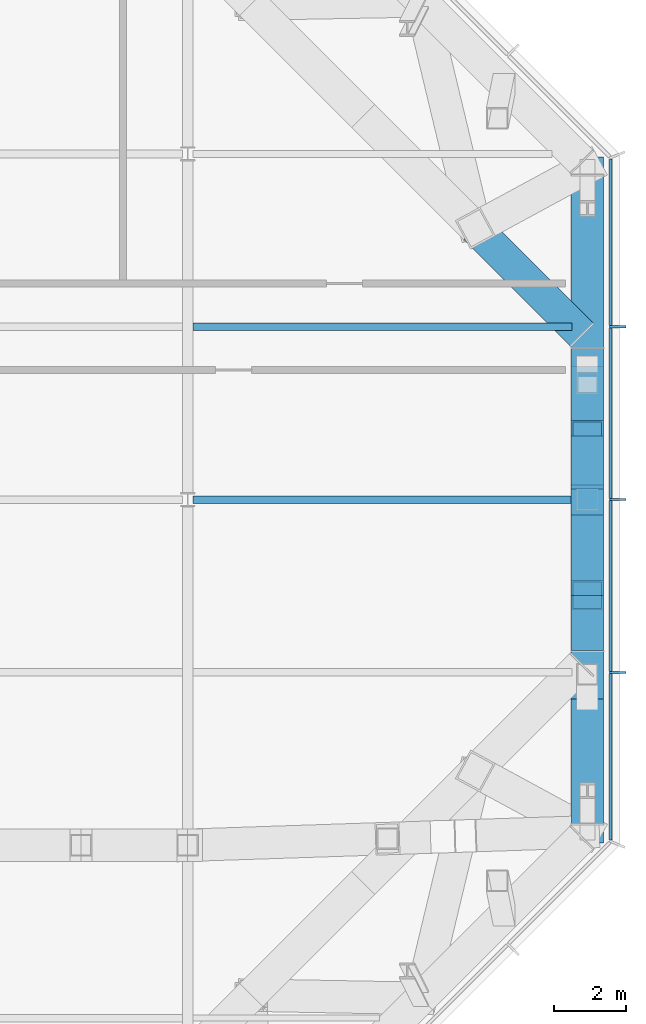
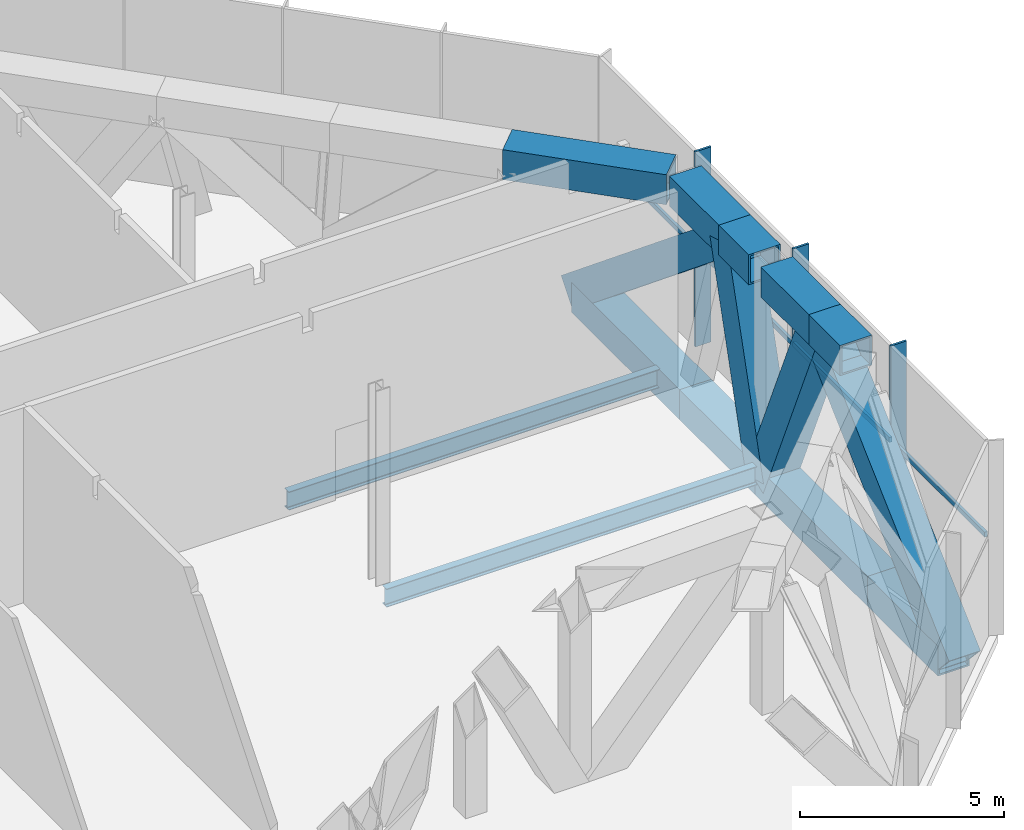
# One storey, part 6 of 18: 15 beams, 7 members, 1 element without a shape of its own.
"""IFC4 building model written with IfcOpenShell, lengths in metres."""

from ifc_helpers import new_model, si_unit, direction, frame, origin, origin_2d, place, context, subcontext, project, spatial, rectangle, hollow_rectangle, i_section, extrude, material, material_profile, profile_set, type_object, element, aggregate, save


model = new_model("IFC4")

# Units and contexts
model_context = context("Model", 3, precision=1e-05, world=origin(), true_north=direction((0.0, 1.0)))
body_context = subcontext(model_context, "Body", "Model", "MODEL_VIEW")
ifc_project = project(units=[si_unit("LENGTHUNIT", "METRE"), si_unit("AREAUNIT", "SQUARE_METRE"), si_unit("VOLUMEUNIT", "CUBIC_METRE"), si_unit("PLANEANGLEUNIT", "RADIAN"), si_unit("MASSUNIT", "GRAM", prefix="KILO")], contexts=[model_context])

# Site, building, storey
site_placement = place(None, origin())
site = spatial("IfcSite", under=ifc_project, at=site_placement, CompositionType="ELEMENT")
building_placement = place(site_placement, origin())
building = spatial("IfcBuilding", under=site, at=building_placement, Name="Cairn Pilgrim Tower", CompositionType="ELEMENT")
storey_placement = place(building_placement, frame((0.0, 0.0, 204.60009765625)))
storey = spatial("IfcBuildingStorey", under=building, at=storey_placement, Name="L52", CompositionType="ELEMENT", Elevation=204.60009765625)

# Beams
ifc_material_1 = material(Name="Structural steel S460M", Category="steel")
ifc_material_profile_1 = material_profile(ifc_material_1, hollow_rectangle(XDim=0.89990234375, YDim=0.89990234375, WallThickness=0.050048828125, at=origin_2d()), Name="BOX 900x900x50")
ifc_profile_set_1 = profile_set([ifc_material_profile_1], Name="Structural steel S460M")
beam_type_1 = type_object("IfcBeamType", Name="BOX 900x900x50 CHORD", PredefinedType="USERDEFINED", material=ifc_profile_set_1)
beam_1_placement = place(storey_placement, frame((42.300048828125, -8.99072265625, -0.7001953125), z_axis=(0.0, 1.0, 0.0), x_axis=(-1.0, 0.0, 0.0)))
element("IfcBeam", 1, at=beam_1_placement, inside=storey, type_object=beam_type_1, Name="BT52-E-BC1", ObjectType="CHORD", PredefinedType="USERDEFINED", context=body_context, shape_type="SweptSolid", body=[
    extrude(hollow_rectangle(XDim=0.89990234375, YDim=0.89990234375, WallThickness=0.050048828125, at=origin_2d()), origin(), (0.0, 0.0, 1.0), 3.454345703125),
])
beam_2_placement = place(storey_placement, frame((42.300048828125, -4.19091796875, 5.39990234375), z_axis=(0.0, 1.0, 0.0), x_axis=(-1.0, 0.0, 0.0)))
element("IfcBeam", 2, at=beam_2_placement, inside=storey, type_object=beam_type_1, Name="BT52-E-TC1", ObjectType="CHORD", PredefinedType="USERDEFINED", context=body_context, shape_type="SweptSolid", body=[
    extrude(hollow_rectangle(XDim=0.89990234375, YDim=0.89990234375, WallThickness=0.050048828125, at=origin_2d()), origin(), (0.0, 0.0, 1.0), 1.53466796875),
])
beam_3_placement = place(storey_placement, frame((42.300048828125, -5.536376953125, -0.7001953125), z_axis=(0.0, 1.0, 0.0), x_axis=(-1.0, 0.0, 0.0)))
element("IfcBeam", 3, at=beam_3_placement, inside=storey, type_object=beam_type_1, Name="BT52-E-BC2", ObjectType="CHORD", PredefinedType="USERDEFINED", context=body_context, shape_type="SweptSolid", body=[
    extrude(hollow_rectangle(XDim=0.89990234375, YDim=0.89990234375, WallThickness=0.050048828125, at=origin_2d()), origin(), (0.0, 0.0, 1.0), 5.536376953125),
])
beam_4_placement = place(storey_placement, frame((42.300048828125, -2.65625, 5.39990234375), z_axis=(0.0, 1.0, 0.0), x_axis=(-1.0, 0.0, 0.0)))
element("IfcBeam", 4, at=beam_4_placement, inside=storey, type_object=beam_type_1, Name="BT52-E-TC2", ObjectType="CHORD", PredefinedType="USERDEFINED", context=body_context, shape_type="SweptSolid", body=[
    extrude(hollow_rectangle(XDim=0.89990234375, YDim=0.89990234375, WallThickness=0.050048828125, at=origin_2d()), origin(), (0.0, 0.0, 1.0), 2.356201171875),
])
beam_5_placement = place(storey_placement, frame((42.300048828125, 0.0, -0.7001953125), z_axis=(0.0, 1.0, 0.0), x_axis=(-1.0, 0.0, 0.0)))
element("IfcBeam", 5, at=beam_5_placement, inside=storey, type_object=beam_type_1, Name="BT52-E-BC3", ObjectType="CHORD", PredefinedType="USERDEFINED", context=body_context, shape_type="SweptSolid", body=[
    extrude(hollow_rectangle(XDim=0.89990234375, YDim=0.89990234375, WallThickness=0.050048828125, at=origin_2d()), origin(), (0.0, 0.0, 1.0), 3.69091796875),
])
beam_6_placement = place(storey_placement, frame((42.300048828125, 0.300048828125, 5.39990234375), z_axis=(0.0, 1.0, 0.0), x_axis=(-1.0, 0.0, 0.0)))
element("IfcBeam", 6, at=beam_6_placement, inside=storey, type_object=beam_type_1, Name="BT52-E-TC3", ObjectType="CHORD", PredefinedType="USERDEFINED", context=body_context, shape_type="SweptSolid", body=[
    extrude(hollow_rectangle(XDim=0.89990234375, YDim=0.89990234375, WallThickness=0.050048828125, at=origin_2d()), origin(), (0.0, 0.0, 1.0), 1.470947265625),
])
beam_7_placement = place(storey_placement, frame((42.300048828125, 3.69091796875, -0.7001953125), z_axis=(0.0, 1.0, 0.0), x_axis=(-1.0, 0.0, 0.0)))
element("IfcBeam", 7, at=beam_7_placement, inside=storey, type_object=beam_type_1, Name="BT52-E-BC4", ObjectType="CHORD", PredefinedType="USERDEFINED", context=body_context, shape_type="SweptSolid", body=[
    extrude(hollow_rectangle(XDim=0.89990234375, YDim=0.89990234375, WallThickness=0.050048828125, at=origin_2d()), origin(), (0.0, 0.0, 1.0), 5.2998046875),
])
beam_8_placement = place(storey_placement, frame((42.300048828125, 1.77099609375, 5.39990234375), z_axis=(0.0, 1.0, 0.0), x_axis=(-1.0, 0.0, 0.0)))
element("IfcBeam", 8, at=beam_8_placement, inside=storey, type_object=beam_type_1, Name="BT52-E-TC4", ObjectType="CHORD", PredefinedType="USERDEFINED", context=body_context, shape_type="SweptSolid", body=[
    extrude(hollow_rectangle(XDim=0.89990234375, YDim=0.89990234375, WallThickness=0.050048828125, at=origin_2d()), origin(), (0.0, 0.0, 1.0), 2.419921875),
])
beam_9_placement = place(storey_placement, frame((42.1328125, 4.594482421875, 5.39990234375), z_axis=(-0.707106781187, 0.707106781187, 0.0), x_axis=(-0.707106781187, -0.707106781187, 0.0)))
element("IfcBeam", 9, at=beam_9_placement, inside=storey, type_object=beam_type_1, Name="BT52-NE-TC1", ObjectType="CHORD", PredefinedType="USERDEFINED", context=body_context, shape_type="SweptSolid", body=[
    extrude(hollow_rectangle(XDim=0.89990234375, YDim=0.89990234375, WallThickness=0.050048828125, at=origin_2d()), origin(), (0.0, 0.0, 1.0), 4.16455078125),
])
ifc_material_profile_2 = material_profile(ifc_material_1, hollow_rectangle(XDim=0.89990234375, YDim=0.89990234375, WallThickness=0.050048828125, at=origin_2d()), Name="BOX 900x900x50")
ifc_profile_set_2 = profile_set([ifc_material_profile_2], Name="Structural steel S460M")
beam_type_2 = type_object("IfcBeamType", Name="BOX 900x900x50 DIAGONAL", PredefinedType="USERDEFINED", material=ifc_profile_set_2)
beam_10_placement = place(storey_placement, frame((42.300048828125, -9.227294921875, -0.7001953125), z_axis=(0.0, 0.732881738853, 0.680356051532), x_axis=(-1.0, 0.0, 0.0)))
element("IfcBeam", 10, at=beam_10_placement, inside=storey, type_object=beam_type_2, Name="BT52-E-D1", ObjectType="DIAGONAL", PredefinedType="USERDEFINED", context=body_context, shape_type="SweptSolid", body=[
    extrude(hollow_rectangle(XDim=0.89990234375, YDim=0.89990234375, WallThickness=0.050048828125, at=origin_2d()), origin(), (0.0, 0.0, 1.0), 8.966064453125),
])
beam_11_placement = place(storey_placement, frame((42.300048828125, -2.65625, 5.39990234375), z_axis=(0.0, 0.399235922188, -0.916848230862), x_axis=(-1.0, 0.0, 0.0)))
element("IfcBeam", 11, at=beam_11_placement, inside=storey, type_object=beam_type_2, Name="BT52-E-D2", ObjectType="DIAGONAL", PredefinedType="USERDEFINED", context=body_context, shape_type="SweptSolid", body=[
    extrude(hollow_rectangle(XDim=0.89990234375, YDim=0.89990234375, WallThickness=0.050048828125, at=origin_2d()), origin(), (0.0, 0.0, 1.0), 6.6533203125),
])
beam_12_placement = place(storey_placement, frame((42.300048828125, 0.0, -0.7001953125), z_axis=(0.0, 0.278810194864, 0.960346226754), x_axis=(-1.0, 0.0, 0.0)))
element("IfcBeam", 12, at=beam_12_placement, inside=storey, type_object=beam_type_2, Name="BT52-E-D3", ObjectType="DIAGONAL", PredefinedType="USERDEFINED", context=body_context, shape_type="SweptSolid", body=[
    extrude(hollow_rectangle(XDim=0.89990234375, YDim=0.89990234375, WallThickness=0.050048828125, at=origin_2d()), origin(), (0.0, 0.0, 1.0), 6.35205078125),
])
beam_13_placement = place(storey_placement, frame((42.300048828125, 1.77099609375, 5.39990234375), z_axis=(0.0, 0.773983268274, -0.633206048954), x_axis=(-1.0, 0.0, 0.0)))
element("IfcBeam", 13, at=beam_13_placement, inside=storey, type_object=beam_type_2, Name="BT52-E-D4", ObjectType="DIAGONAL", PredefinedType="USERDEFINED", context=body_context, shape_type="SweptSolid", body=[
    extrude(hollow_rectangle(XDim=0.89990234375, YDim=0.89990234375, WallThickness=0.050048828125, at=origin_2d()), origin(), (0.0, 0.0, 1.0), 9.6337890625),
])

# Curtain wall, members
ifc_material_2 = material(Name="Aluminium alloy 6063-T6 bronze anodised with Bronze tinted laminated low-E glass 8+16+8.8", Category="aluminium")
curtain_wall_type = type_object("IfcCurtainWallType", Name="PLANT LOUVRE CURTAIN WALL", PredefinedType="NOTDEFINED", material=ifc_material_2)
curtain_wall_placement = place(storey_placement, origin())
curtain_wall = element("IfcCurtainWall", 14, at=curtain_wall_placement, inside=storey, type_object=curtain_wall_type, Name="Plant Louvre Curtain Wall E", PredefinedType="NOTDEFINED")
ifc_material_3 = material(Name="Aluminium alloy 6063-T6 bronze anodised", Category="aluminium")
ifc_material_profile_3 = material_profile(ifc_material_3, rectangle(XDim=0.449951171875, YDim=0.06005859375, at=origin_2d()), Name="FIN MULLION 60x450 BRONZE")
ifc_profile_set_3 = profile_set([ifc_material_profile_3], Name="Aluminium alloy 6063-T6 bronze anodised")
member_type_1 = type_object("IfcMemberType", Name="FIN MULLION 60x450 BRONZE", PredefinedType="MULLION", material=ifc_profile_set_3)
member_1_placement = place(storey_placement, frame((43.14501953125, -4.800048828125, 0.0), z_axis=(0.0, 0.0, 1.0), x_axis=(1.0, 0.0, 0.0)))
member_1 = element("IfcMember", 15, at=member_1_placement, type_object=member_type_1, Name="Fin mullion E2", PredefinedType="MULLION", context=body_context, shape_type="SweptSolid", body=[
    extrude(rectangle(XDim=0.449951171875, YDim=0.06005859375, at=origin_2d()), origin(), (0.0, 0.0, 1.0), 5.849853515625),
])
member_2_placement = place(storey_placement, frame((43.14501953125, 0.0, 0.0), z_axis=(0.0, 0.0, 1.0), x_axis=(1.0, 0.0, 0.0)))
member_2 = element("IfcMember", 16, at=member_2_placement, type_object=member_type_1, Name="Fin mullion E3", PredefinedType="MULLION", context=body_context, shape_type="SweptSolid", body=[
    extrude(rectangle(XDim=0.449951171875, YDim=0.06005859375, at=origin_2d()), origin(), (0.0, 0.0, 1.0), 5.849853515625),
])
member_3_placement = place(storey_placement, frame((43.14501953125, 4.800048828125, 0.0), z_axis=(0.0, 0.0, 1.0), x_axis=(1.0, 0.0, 0.0)))
member_3 = element("IfcMember", 17, at=member_3_placement, type_object=member_type_1, Name="Fin mullion E4", PredefinedType="MULLION", context=body_context, shape_type="SweptSolid", body=[
    extrude(rectangle(XDim=0.449951171875, YDim=0.06005859375, at=origin_2d()), origin(), (0.0, 0.0, 1.0), 5.849853515625),
])

# Beams
ifc_material_4 = material(Name="Structural steel S355J2", Category="steel")
ifc_material_profile_4 = material_profile(ifc_material_4, i_section(OverallWidth=0.2099609375, OverallDepth=0.550048828125, WebThickness=0.010986328125, FlangeThickness=0.01708984375, FilletRadius=0.02392578125, at=origin_2d()), Name="IPE 550")
ifc_profile_set_4 = profile_set([ifc_material_profile_4], Name="Structural steel S355J2")
beam_type_3 = type_object("IfcBeamType", Name="IPE 550 SECONDARY BEAM", PredefinedType="JOIST", material=ifc_profile_set_4)
for number, where, z_axis, x_axis, name in (
    (18, (31.35009765625, 0.0, -0.525146484375), (1.0, 0.0, 0.0), (0.0, 1.0, 0.0), "SB5-3"),
    (19, (31.35009765625, 4.800048828125, -0.525146484375), (1.0, 0.0, 0.0), (0.0, 1.0, 0.0), "SB6-3"),
):
    element("IfcBeam", number, at=place(storey_placement, frame(where, z_axis=z_axis, x_axis=x_axis)), inside=storey, type_object=beam_type_3, Name=name, PredefinedType="JOIST", context=body_context, shape_type="SweptSolid", body=[
        extrude(i_section(OverallWidth=0.2099609375, OverallDepth=0.550048828125, WebThickness=0.010986328125, FlangeThickness=0.01708984375, FilletRadius=0.02392578125, at=origin_2d()), origin(), (0.0, 0.0, 1.0), 10.52978515625),
    ])

# Member
ifc_material_profile_5 = material_profile(ifc_material_3, rectangle(XDim=0.080078125, YDim=0.14990234375, at=origin_2d()), Name="TRANSOM 80x150 BRONZE")
ifc_profile_set_5 = profile_set([ifc_material_profile_5], Name="Aluminium alloy 6063-T6 bronze anodised")
member_type_2 = type_object("IfcMemberType", Name="TRANSOM 80x150 BRONZE", PredefinedType="USERDEFINED", material=ifc_profile_set_5)
member_4_placement = place(storey_placement, frame((42.949951171875, -9.45654296875, 3.0), z_axis=(0.0, 1.0, 0.0), x_axis=(-1.0, 0.0, 0.0)))
member_4 = element("IfcMember", 20, at=member_4_placement, type_object=member_type_2, Name="Transom E1", ObjectType="TRANSOM", PredefinedType="USERDEFINED", context=body_context, shape_type="SweptSolid", body=[
    extrude(rectangle(XDim=0.080078125, YDim=0.14990234375, at=origin_2d()), origin(), (0.0, 0.0, 1.0), 4.62646484375),
])

member_5_placement = place(storey_placement, frame((42.949951171875, -4.77001953125, 3.0), z_axis=(0.0, 1.0, 0.0), x_axis=(-1.0, 0.0, 0.0)))
member_5 = element("IfcMember", 21, at=member_5_placement, type_object=member_type_2, Name="Transom E2", ObjectType="TRANSOM", PredefinedType="USERDEFINED", context=body_context, shape_type="SweptSolid", body=[
    extrude(rectangle(XDim=0.080078125, YDim=0.14990234375, at=origin_2d()), origin(), (0.0, 0.0, 1.0), 4.739990234375),
])

member_6_placement = place(storey_placement, frame((42.949951171875, 0.030029296875, 3.0), z_axis=(0.0, 1.0, 0.0), x_axis=(-1.0, 0.0, 0.0)))
member_6 = element("IfcMember", 22, at=member_6_placement, type_object=member_type_2, Name="Transom E3", ObjectType="TRANSOM", PredefinedType="USERDEFINED", context=body_context, shape_type="SweptSolid", body=[
    extrude(rectangle(XDim=0.080078125, YDim=0.14990234375, at=origin_2d()), origin(), (0.0, 0.0, 1.0), 4.739990234375),
])

member_7_placement = place(storey_placement, frame((42.949951171875, 4.830078125, 3.0), z_axis=(0.0, 1.0, 0.0), x_axis=(-1.0, 0.0, 0.0)))
member_7 = element("IfcMember", 23, at=member_7_placement, type_object=member_type_2, Name="Transom E4", ObjectType="TRANSOM", PredefinedType="USERDEFINED", context=body_context, shape_type="SweptSolid", body=[
    extrude(rectangle(XDim=0.080078125, YDim=0.14990234375, at=origin_2d()), origin(), (0.0, 0.0, 1.0), 4.62646484375),
])

aggregate(curtain_wall, [member_1, member_2, member_3, member_4, member_5, member_6, member_7])

save(model, "model.ifc")
